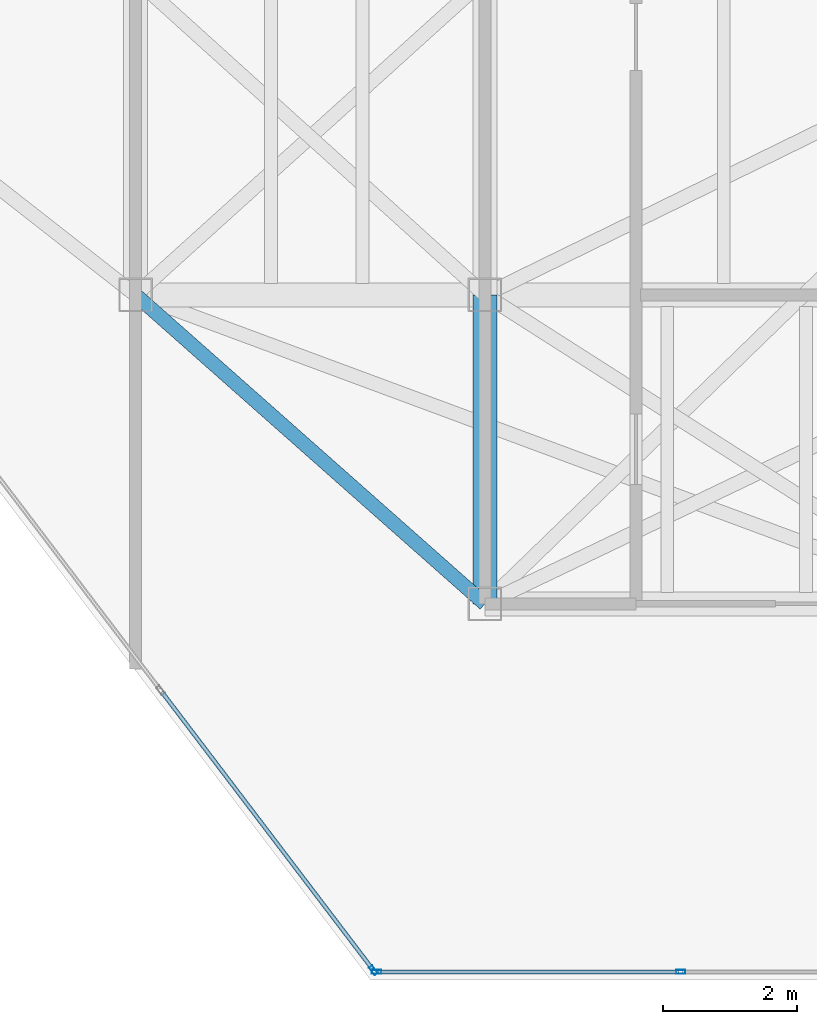
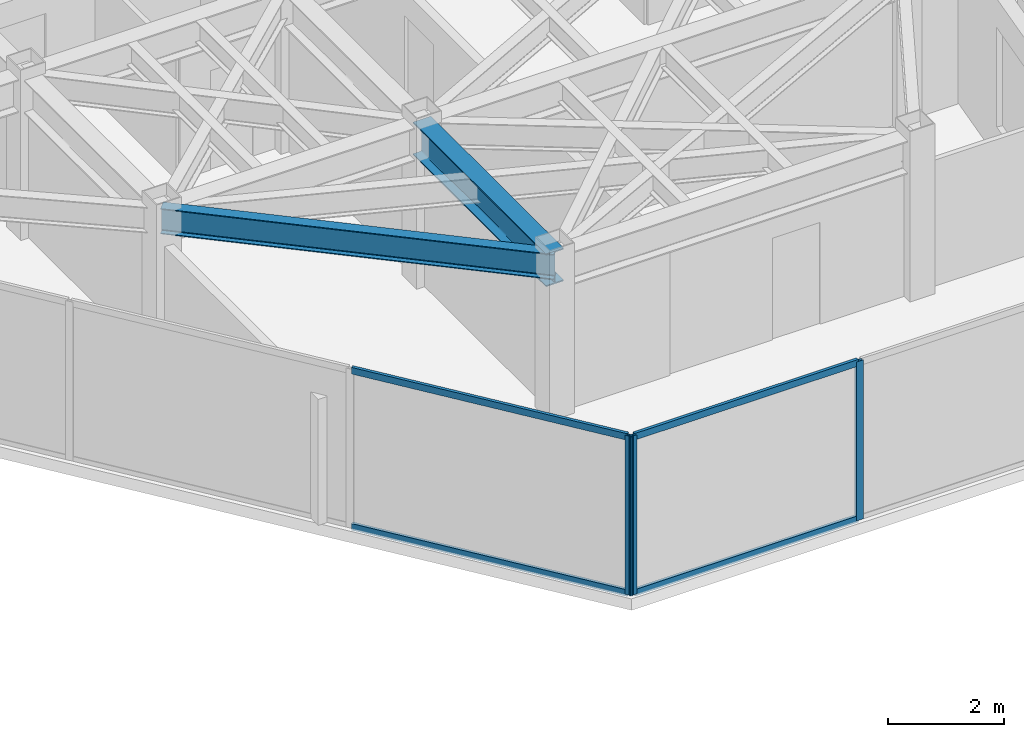
# One storey, part 12 of 20: 7 members, 2 beams, 2 elements without a shape of their own.
"""IFC4 building model written with IfcOpenShell, lengths in metres."""

from ifc_helpers import new_model, si_unit, direction, frame, origin, origin_2d, place, context, subcontext, project, spatial, hollow_rectangle, i_section, extrude, material, layer, layer_set, material_profile, profile_set, type_object, element, aggregate, save


model = new_model("IFC4")

# Units and contexts
model_context = context("Model", 3, precision=1e-05, world=origin(), true_north=direction((0.0, 1.0)))
body_context = subcontext(model_context, "Body", "Model", "MODEL_VIEW")
ifc_project = project(units=[si_unit("LENGTHUNIT", "METRE"), si_unit("AREAUNIT", "SQUARE_METRE"), si_unit("VOLUMEUNIT", "CUBIC_METRE"), si_unit("PLANEANGLEUNIT", "RADIAN"), si_unit("MASSUNIT", "GRAM", prefix="KILO")], contexts=[model_context])

# Site, building, storey
site_placement = place(None, origin())
site = spatial("IfcSite", under=ifc_project, at=site_placement, CompositionType="ELEMENT")
building_placement = place(site_placement, origin())
building = spatial("IfcBuilding", under=site, at=building_placement, Name="Kravanh Interchange Tower", CompositionType="ELEMENT")
storey_placement = place(building_placement, frame((0.0, 0.0, 234.60009765625)))
storey = spatial("IfcBuildingStorey", under=building, at=storey_placement, Name="L56", CompositionType="ELEMENT", Elevation=234.60009765625)

# Curtain wall, members
ifc_material_1 = material(Name="Anodised Bronze Aluminium", Category="aluminium")
ifc_layer = layer(ifc_material_1, 0.179931640625)
ifc_layer_set = layer_set([ifc_layer], Name="Unitised Curtain Wall System CW-HTL Luxury Hotel")
curtain_wall_type = type_object("IfcCurtainWallType", Name="Unitised Curtain Wall System CW-HTL Luxury Hotel", PredefinedType="NOTDEFINED", material=ifc_layer_set)
curtain_wall_1_placement = place(storey_placement, origin())
curtain_wall_1 = element("IfcCurtainWall", 1, at=curtain_wall_1_placement, inside=storey, type_object=curtain_wall_type, Name="L56 Unitised Curtain Wall CW-L56-03", PredefinedType="NOTDEFINED")
ifc_material_2 = material(Name="Anodised Bronze Aluminium", Category="aluminium")
ifc_material_profile_1 = material_profile(ifc_material_2, hollow_rectangle(XDim=0.06005859375, YDim=0.139892578125, WallThickness=0.00390625, at=origin_2d()), Name="ALU60X140X4")
ifc_profile_set_1 = profile_set([ifc_material_profile_1], Name="Anodised Bronze Aluminium")
member_type_1 = type_object("IfcMemberType", Name="Curtain Wall Mullion ALU60X140X4 Bronze", PredefinedType="MULLION", material=ifc_profile_set_1)
member_1_placement = place(storey_placement, frame((58.915771484375, 16.719970703125, 0.0), z_axis=(0.0, 0.0, 1.0), x_axis=(0.0, -1.0, 0.0)))
member_1 = element("IfcMember", 2, at=member_1_placement, type_object=member_type_1, Name="CW-HTL mullion 2", PredefinedType="MULLION", context=body_context, shape_type="SweptSolid", body=[
    extrude(hollow_rectangle(XDim=0.06005859375, YDim=0.139892578125, WallThickness=0.00390625, at=origin_2d()), origin(), (0.0, 0.0, 1.0), 3.35986328125),
])
member_2_placement = place(storey_placement, frame((54.389404296875, 16.719970703125, 0.0), z_axis=(0.0, 0.0, 1.0), x_axis=(0.0, -1.0, 0.0)))
member_2 = element("IfcMember", 3, at=member_2_placement, type_object=member_type_1, Name="CW-HTL mullion 3", PredefinedType="MULLION", context=body_context, shape_type="SweptSolid", body=[
    extrude(hollow_rectangle(XDim=0.06005859375, YDim=0.139892578125, WallThickness=0.00390625, at=origin_2d()), origin(), (0.0, 0.0, 1.0), 3.35986328125),
])

# Curtain wall, member
curtain_wall_2_placement = place(storey_placement, origin())
curtain_wall_2 = element("IfcCurtainWall", 4, at=curtain_wall_2_placement, inside=storey, type_object=curtain_wall_type, Name="L56 Unitised Curtain Wall CW-L56-04", PredefinedType="NOTDEFINED")
member_3_placement = place(storey_placement, frame((54.34130859375, 16.743896484375, 0.0), z_axis=(0.0, 0.0, 1.0), x_axis=(-0.79616243806, -0.605082946564, 0.0)))
member_3 = element("IfcMember", 5, at=member_3_placement, type_object=member_type_1, Name="CW-HTL mullion 1", PredefinedType="MULLION", context=body_context, shape_type="SweptSolid", body=[
    extrude(hollow_rectangle(XDim=0.06005859375, YDim=0.139892578125, WallThickness=0.00390625, at=origin_2d()), origin(), (0.0, 0.0, 1.0), 3.35986328125),
])

# Member
ifc_material_3 = material(Name="Anodised Bronze Aluminium", Category="aluminium")
ifc_material_profile_2 = material_profile(ifc_material_3, hollow_rectangle(XDim=0.06005859375, YDim=0.139892578125, WallThickness=0.00390625, at=origin_2d()), Name="ALU60X140X4")
ifc_profile_set_2 = profile_set([ifc_material_profile_2], Name="Anodised Bronze Aluminium")
member_type_2 = type_object("IfcMemberType", Name="Curtain Wall Transom ALU60X140X4 Bronze", PredefinedType="USERDEFINED", material=ifc_profile_set_2)
member_4_placement = place(storey_placement, frame((58.8857421875, 16.719970703125, 0.02978515625), z_axis=(-1.0, 0.0, 0.0), x_axis=(0.0, -1.0, 0.0)))
member_4 = element("IfcMember", 6, at=member_4_placement, type_object=member_type_2, Name="CW-HTL transom 2.1", ObjectType="TRANSOM", PredefinedType="USERDEFINED", context=body_context, shape_type="SweptSolid", body=[
    extrude(hollow_rectangle(XDim=0.06005859375, YDim=0.139892578125, WallThickness=0.00390625, at=origin_2d()), origin(), (0.0, 0.0, 1.0), 4.46630859375),
])

member_5_placement = place(storey_placement, frame((58.8857421875, 16.719970703125, 3.329833984375), z_axis=(-1.0, 0.0, 0.0), x_axis=(0.0, -1.0, 0.0)))
member_5 = element("IfcMember", 7, at=member_5_placement, type_object=member_type_2, Name="CW-HTL transom 2.2", ObjectType="TRANSOM", PredefinedType="USERDEFINED", context=body_context, shape_type="SweptSolid", body=[
    extrude(hollow_rectangle(XDim=0.06005859375, YDim=0.139892578125, WallThickness=0.00390625, at=origin_2d()), origin(), (0.0, 0.0, 1.0), 4.46630859375),
])

aggregate(curtain_wall_1, [member_1, member_2, member_4, member_5])

member_6_placement = place(storey_placement, frame((54.3232421875, 16.767822265625, 0.02978515625), z_axis=(-0.605089246946, 0.796157649734, 0.0), x_axis=(-0.796157649734, -0.605089246946, 0.0)))
member_6 = element("IfcMember", 8, at=member_6_placement, type_object=member_type_2, Name="CW-HTL transom 1.1", ObjectType="TRANSOM", PredefinedType="USERDEFINED", context=body_context, shape_type="SweptSolid", body=[
    extrude(hollow_rectangle(XDim=0.06005859375, YDim=0.139892578125, WallThickness=0.00390625, at=origin_2d()), origin(), (0.0, 0.0, 1.0), 5.17626953125),
])

member_7_placement = place(storey_placement, frame((54.3232421875, 16.767822265625, 3.329833984375), z_axis=(-0.605089246946, 0.796157649734, 0.0), x_axis=(-0.796157649734, -0.605089246946, 0.0)))
member_7 = element("IfcMember", 9, at=member_7_placement, type_object=member_type_2, Name="CW-HTL transom 1.2", ObjectType="TRANSOM", PredefinedType="USERDEFINED", context=body_context, shape_type="SweptSolid", body=[
    extrude(hollow_rectangle(XDim=0.06005859375, YDim=0.139892578125, WallThickness=0.00390625, at=origin_2d()), origin(), (0.0, 0.0, 1.0), 5.17626953125),
])

aggregate(curtain_wall_2, [member_3, member_6, member_7])

# Beams
ifc_material_4 = material(Name="Structural Steel S355", Category="steel")
ifc_material_profile_3 = material_profile(ifc_material_4, i_section(OverallWidth=0.35498046875, OverallDepth=0.696044921875, WebThickness=0.015380859375, FlangeThickness=0.02490234375, FilletRadius=0.02392578125, at=origin_2d()), Name="W27X146")
ifc_profile_set_3 = profile_set([ifc_material_profile_3], Name="Structural Steel S355")
beam_type_1 = type_object("IfcBeamType", Name="Floor Beam W27X146 Structural Steel S355", PredefinedType="BEAM", material=ifc_profile_set_3)
beam_1_placement = place(storey_placement, frame((56.0, 26.800048828125, 3.011962890625), z_axis=(0.0, -1.0, 0.0), x_axis=(1.0, 0.0, 0.0)))
element("IfcBeam", 10, at=beam_1_placement, inside=storey, type_object=beam_type_1, Name="L56 Primary Floor Girder 34", PredefinedType="BEAM", context=body_context, shape_type="SweptSolid", body=[
    extrude(i_section(OverallWidth=0.35498046875, OverallDepth=0.696044921875, WebThickness=0.015380859375, FlangeThickness=0.02490234375, FilletRadius=0.02392578125, at=origin_2d()), origin(), (0.0, 0.0, 1.0), 4.60009765625),
])
ifc_material_5 = material(Name="Structural Steel S355", Category="steel")
ifc_material_profile_4 = material_profile(ifc_material_5, i_section(OverallWidth=0.2099609375, OverallDepth=0.537109375, WebThickness=0.010986328125, FlangeThickness=0.017333984375, FilletRadius=0.02001953125, at=origin_2d()), Name="W21X68")
ifc_profile_set_4 = profile_set([ifc_material_profile_4], Name="Structural Steel S355")
beam_type_2 = type_object("IfcBeamType", Name="Floor Spandrel W21X68 Structural Steel S355", PredefinedType="SPANDREL", material=ifc_profile_set_4)
beam_2_placement = place(storey_placement, frame((50.800048828125, 26.800048828125, 3.09130859375), z_axis=(0.74898649432, -0.662585263439, 0.0), x_axis=(0.662585263439, 0.74898649432, 0.0)))
element("IfcBeam", 11, at=beam_2_placement, inside=storey, type_object=beam_type_2, Name="L56 Perimeter Spandrel 32", PredefinedType="SPANDREL", context=body_context, shape_type="SweptSolid", body=[
    extrude(i_section(OverallWidth=0.2099609375, OverallDepth=0.537109375, WebThickness=0.010986328125, FlangeThickness=0.017333984375, FilletRadius=0.02001953125, at=origin_2d()), origin(), (0.0, 0.0, 1.0), 6.942626953125),
])

save(model, "model.ifc")
